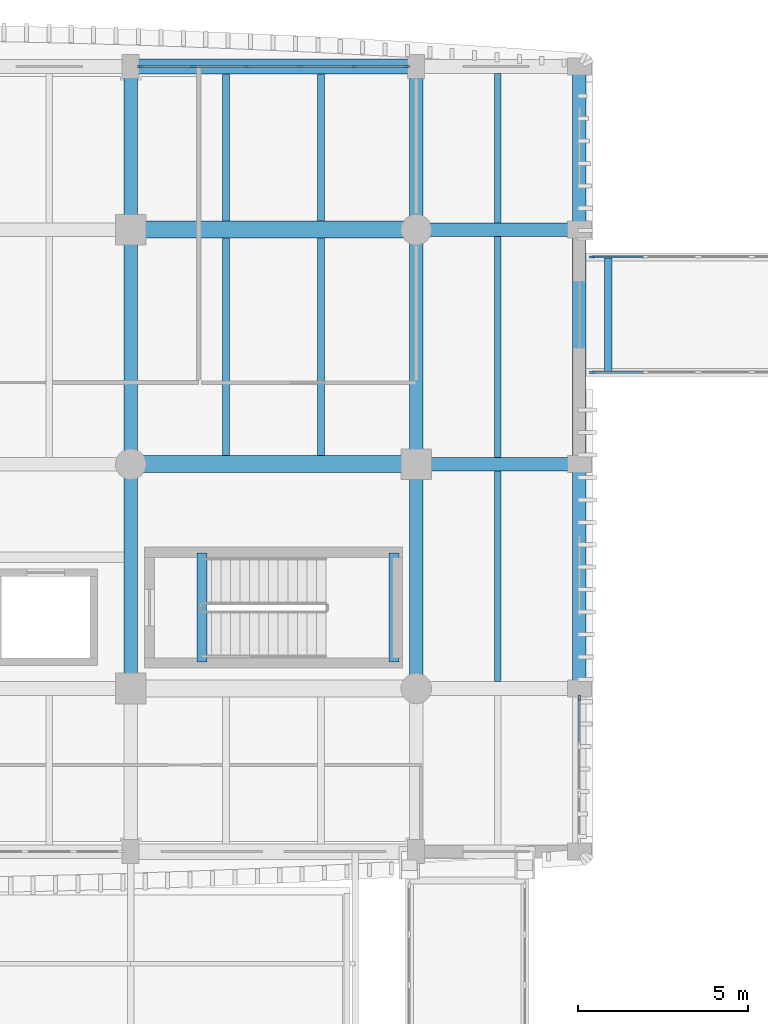
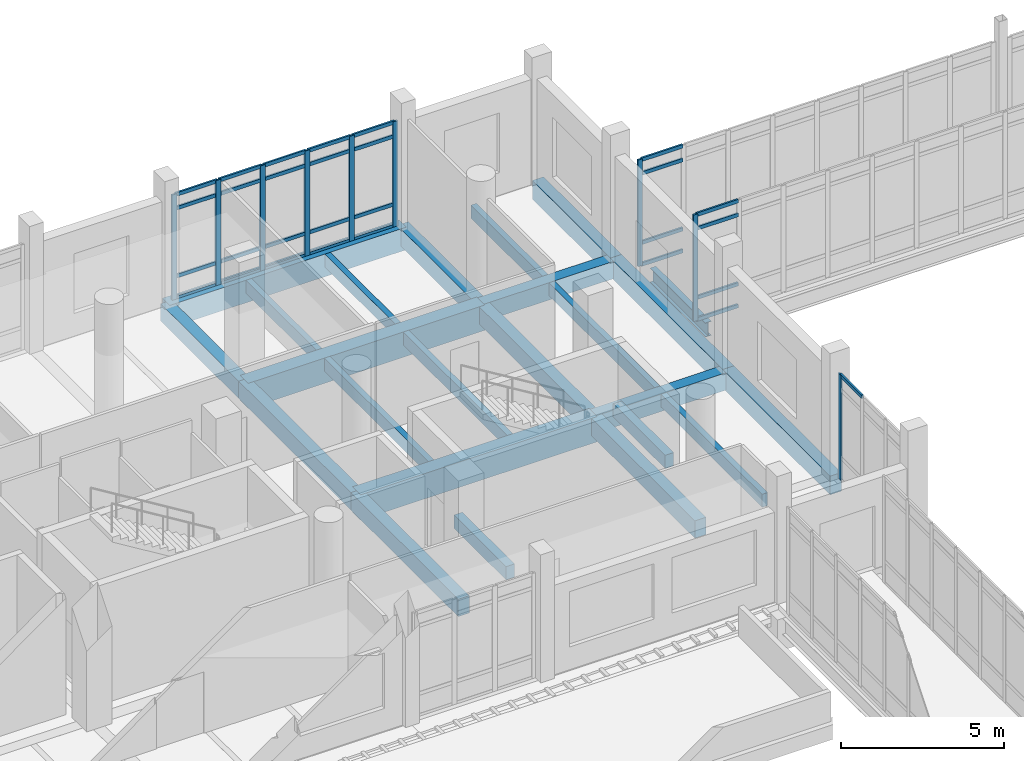
# One storey, part 34 of 125: 38 members, 24 beams, 4 elements without a shape of their own.
"""IFC4 building model written with IfcOpenShell, lengths in metres."""

from ifc_helpers import new_model, si_unit, direction, frame, origin, origin_2d, place, context, subcontext, project, spatial, rectangle, i_section, extrude, material, material_profile, profile_set, type_object, element, aggregate, save


model = new_model("IFC4")

# Units and contexts
model_context = context("Model", 3, precision=1e-05, world=origin(), true_north=direction((0.0, 1.0)))
body_context = subcontext(model_context, "Body", "Model", "MODEL_VIEW")
ifc_project = project(units=[si_unit("LENGTHUNIT", "METRE"), si_unit("AREAUNIT", "SQUARE_METRE"), si_unit("VOLUMEUNIT", "CUBIC_METRE"), si_unit("PLANEANGLEUNIT", "RADIAN"), si_unit("MASSUNIT", "GRAM", prefix="KILO")], contexts=[model_context])

# Site, building, storey
site_placement = place(None, origin())
site = spatial("IfcSite", under=ifc_project, at=site_placement, CompositionType="ELEMENT")
building_placement = place(site_placement, origin())
building = spatial("IfcBuilding", under=site, at=building_placement, Name="Dornvale Research Institute", CompositionType="ELEMENT")
storey_placement = place(building_placement, frame((0.0, 0.0, 5.39990234375)))
storey = spatial("IfcBuildingStorey", under=building, at=storey_placement, Name="L01", CompositionType="ELEMENT", Elevation=5.39990234375)

# Beams
ifc_material_1 = material(Name="Concrete f'c 45 MPa (C35/45)", Category="concrete")
ifc_material_profile_1 = material_profile(ifc_material_1, rectangle(XDim=0.300048828125, YDim=0.5, at=origin_2d()), Name="RC 300x500")
ifc_profile_set_1 = profile_set([ifc_material_profile_1], Name="Concrete f'c 45 MPa (C35/45)")
beam_type_1 = type_object("IfcBeamType", Name="Beam_RC300x500_Trim", PredefinedType="BEAM", material=ifc_profile_set_1)
for number, where, z_axis, x_axis, name in (
    (1, (35.10009765625, 104.580078125, -0.25), (0.0, 1.0, 0.0), (-1.0, 0.0, 0.0), "L01 ST-2 stair landing trimmer beam #25"),
    (2, (40.75, 104.580078125, 1.9501953125), (0.0, 1.0, 0.0), (-1.0, 0.0, 0.0), "L01 ST-2 half-landing support beam #38"),
):
    element("IfcBeam", number, at=place(storey_placement, frame(where, z_axis=z_axis, x_axis=x_axis)), inside=storey, type_object=beam_type_1, Name=name, PredefinedType="BEAM", context=body_context, shape_type="SweptSolid", body=[
        extrude(rectangle(XDim=0.300048828125, YDim=0.5, at=origin_2d()), origin(), (0.0, 0.0, 1.0), 3.199951171875),
    ])
ifc_material_2 = material(Name="Concrete f'c 45 MPa (C35/45)", Category="concrete")
ifc_material_profile_2 = material_profile(ifc_material_2, rectangle(XDim=0.39990234375, YDim=0.64990234375, at=origin_2d()), Name="RC 400x650")
ifc_profile_set_2 = profile_set([ifc_material_profile_2], Name="Concrete f'c 45 MPa (C35/45)")
beam_type_2 = type_object("IfcBeamType", Name="Beam_RC400x650_Floor", PredefinedType="BEAM", material=ifc_profile_set_2)
for number, where, z_axis, x_axis, name in (
    (3, (41.39990234375, 110.39990234375, -0.324951171875), (1.0, 0.0, 0.0), (0.0, 1.0, 0.0), "L01 primary girder #307"),
    (4, (41.39990234375, 117.300048828125, -0.324951171875), (1.0, 0.0, 0.0), (0.0, 1.0, 0.0), "L01 primary girder #314"),
):
    element("IfcBeam", number, at=place(storey_placement, frame(where, z_axis=z_axis, x_axis=x_axis)), inside=storey, type_object=beam_type_2, Name=name, PredefinedType="BEAM", context=body_context, shape_type="SweptSolid", body=[
        extrude(rectangle(XDim=0.39990234375, YDim=0.64990234375, at=origin_2d()), origin(), (0.0, 0.0, 1.0), 4.800048828125),
    ])
beam_1_placement = place(storey_placement, frame((33.0, 103.800048828125, -0.324951171875), z_axis=(0.0, 1.0, 0.0), x_axis=(-1.0, 0.0, 0.0)))
element("IfcBeam", 5, at=beam_1_placement, inside=storey, type_object=beam_type_2, Name="L01 transverse girder #343", PredefinedType="BEAM", context=body_context, shape_type="SweptSolid", body=[
    extrude(rectangle(XDim=0.39990234375, YDim=0.64990234375, at=origin_2d()), origin(), (0.0, 0.0, 1.0), 6.599853515625),
])
beam_2_placement = place(storey_placement, frame((33.0, 110.39990234375, -0.324951171875), z_axis=(0.0, 1.0, 0.0), x_axis=(-1.0, 0.0, 0.0)))
element("IfcBeam", 6, at=beam_2_placement, inside=storey, type_object=beam_type_2, Name="L01 transverse girder #344", PredefinedType="BEAM", context=body_context, shape_type="SweptSolid", body=[
    extrude(rectangle(XDim=0.39990234375, YDim=0.64990234375, at=origin_2d()), origin(), (0.0, 0.0, 1.0), 6.900146484375),
])
beam_3_placement = place(storey_placement, frame((33.0, 117.300048828125, -0.324951171875), z_axis=(0.0, 1.0, 0.0), x_axis=(-1.0, 0.0, 0.0)))
element("IfcBeam", 7, at=beam_3_placement, inside=storey, type_object=beam_type_2, Name="L01 transverse girder #345", PredefinedType="BEAM", context=body_context, shape_type="SweptSolid", body=[
    extrude(rectangle(XDim=0.39990234375, YDim=0.64990234375, at=origin_2d()), origin(), (0.0, 0.0, 1.0), 4.800048828125),
])
beam_4_placement = place(storey_placement, frame((41.39990234375, 103.800048828125, -0.324951171875), z_axis=(0.0, 1.0, 0.0), x_axis=(-1.0, 0.0, 0.0)))
element("IfcBeam", 8, at=beam_4_placement, inside=storey, type_object=beam_type_2, Name="L01 transverse girder #347", PredefinedType="BEAM", context=body_context, shape_type="SweptSolid", body=[
    extrude(rectangle(XDim=0.39990234375, YDim=0.64990234375, at=origin_2d()), origin(), (0.0, 0.0, 1.0), 6.599853515625),
])
beam_5_placement = place(storey_placement, frame((41.39990234375, 110.39990234375, -0.324951171875), z_axis=(0.0, 1.0, 0.0), x_axis=(-1.0, 0.0, 0.0)))
element("IfcBeam", 9, at=beam_5_placement, inside=storey, type_object=beam_type_2, Name="L01 transverse girder #348", PredefinedType="BEAM", context=body_context, shape_type="SweptSolid", body=[
    extrude(rectangle(XDim=0.39990234375, YDim=0.64990234375, at=origin_2d()), origin(), (0.0, 0.0, 1.0), 6.900146484375),
])
beam_6_placement = place(storey_placement, frame((41.39990234375, 117.300048828125, -0.324951171875), z_axis=(0.0, 1.0, 0.0), x_axis=(-1.0, 0.0, 0.0)))
element("IfcBeam", 10, at=beam_6_placement, inside=storey, type_object=beam_type_2, Name="L01 transverse girder #349", PredefinedType="BEAM", context=body_context, shape_type="SweptSolid", body=[
    extrude(rectangle(XDim=0.39990234375, YDim=0.64990234375, at=origin_2d()), origin(), (0.0, 0.0, 1.0), 4.800048828125),
])
ifc_material_3 = material(Name="Concrete f'c 45 MPa (C35/45)", Category="concrete")
ifc_material_profile_3 = material_profile(ifc_material_3, rectangle(XDim=0.5, YDim=0.949951171875, at=origin_2d()), Name="RC 500x950")
ifc_profile_set_3 = profile_set([ifc_material_profile_3], Name="Concrete f'c 45 MPa (C35/45)")
beam_type_3 = type_object("IfcBeamType", Name="Beam_RC500x950_Girder", PredefinedType="BEAM", material=ifc_profile_set_3)
for number, where, z_axis, x_axis, name in (
    (11, (33.0, 110.39990234375, -0.474853515625), (1.0, 0.0, 0.0), (0.0, 1.0, 0.0), "L01 primary girder #306"),
    (12, (33.0, 117.300048828125, -0.474853515625), (1.0, 0.0, 0.0), (0.0, 1.0, 0.0), "L01 primary girder #313"),
):
    element("IfcBeam", number, at=place(storey_placement, frame(where, z_axis=z_axis, x_axis=x_axis)), inside=storey, type_object=beam_type_3, Name=name, PredefinedType="BEAM", context=body_context, shape_type="SweptSolid", body=[
        extrude(rectangle(XDim=0.5, YDim=0.949951171875, at=origin_2d()), origin(), (0.0, 0.0, 1.0), 8.39990234375),
    ])
ifc_material_4 = material(Name="Steel ASTM A992 Grade 50", Category="steel")
ifc_material_profile_4 = material_profile(ifc_material_4, i_section(OverallWidth=0.2099609375, OverallDepth=0.535888671875, WebThickness=0.010986328125, FlangeThickness=0.017333984375, at=origin_2d()), Name="W21X68")
ifc_profile_set_4 = profile_set([ifc_material_profile_4], Name="Steel ASTM A992 Grade 50")
beam_type_4 = type_object("IfcBeamType", Name="Beam_Steel_W21X68", PredefinedType="BEAM", material=ifc_profile_set_4)
beam_7_placement = place(storey_placement, frame((47.050048828125, 113.10009765625, -0.48779296875), z_axis=(0.0, 1.0, 0.0), x_axis=(-1.0, 0.0, 0.0)))
element("IfcBeam", 13, at=beam_7_placement, inside=storey, type_object=beam_type_4, Name="L01 BR-5 west cross beam #2026", PredefinedType="BEAM", context=body_context, shape_type="SweptSolid", body=[
    extrude(i_section(OverallWidth=0.2099609375, OverallDepth=0.535888671875, WebThickness=0.010986328125, FlangeThickness=0.017333984375, at=origin_2d()), origin(), (0.0, 0.0, 1.0), 3.39990234375),
])
ifc_material_5 = material(Name="Concrete f'c 45 MPa (C35/45)", Category="concrete")
ifc_material_profile_5 = material_profile(ifc_material_5, rectangle(XDim=0.199951171875, YDim=0.485107421875, at=origin_2d()), Name="RC 200x485")
ifc_profile_set_5 = profile_set([ifc_material_profile_5], Name="Concrete f'c 45 MPa (C35/45)")
beam_type_5 = type_object("IfcBeamType", Name="Joist_RC200x485_Rib", PredefinedType="JOIST", material=ifc_profile_set_5)
for number, where, z_axis, x_axis, name in (
    (14, (35.800048828125, 110.64990234375, -0.242431640625), (0.0, 1.0, 0.0), (-1.0, 0.0, 0.0), "L01 laboratory waffle joist #168"),
    (15, (38.60009765625, 110.64990234375, -0.242431640625), (0.0, 1.0, 0.0), (-1.0, 0.0, 0.0), "L01 laboratory waffle joist #169"),
):
    element("IfcBeam", number, at=place(storey_placement, frame(where, z_axis=z_axis, x_axis=x_axis)), inside=storey, type_object=beam_type_5, Name=name, PredefinedType="JOIST", context=body_context, shape_type="SweptSolid", body=[
        extrude(rectangle(XDim=0.199951171875, YDim=0.485107421875, at=origin_2d()), origin(), (0.0, 0.0, 1.0), 6.400146484375),
    ])
for number, where, z_axis, x_axis, name in (
    (16, (35.800048828125, 117.550048828125, -0.242431640625), (0.0, 1.0, 0.0), (-1.0, 0.0, 0.0), "L01 laboratory waffle joist #170"),
    (17, (38.60009765625, 117.550048828125, -0.242431640625), (0.0, 1.0, 0.0), (-1.0, 0.0, 0.0), "L01 laboratory waffle joist #171"),
):
    element("IfcBeam", number, at=place(storey_placement, frame(where, z_axis=z_axis, x_axis=x_axis)), inside=storey, type_object=beam_type_5, Name=name, PredefinedType="JOIST", context=body_context, shape_type="SweptSolid", body=[
        extrude(rectangle(XDim=0.199951171875, YDim=0.485107421875, at=origin_2d()), origin(), (0.0, 0.0, 1.0), 4.324951171875),
    ])
beam_8_placement = place(storey_placement, frame((43.800048828125, 104.0, -0.242431640625), z_axis=(0.0, 1.0, 0.0), x_axis=(-1.0, 0.0, 0.0)))
element("IfcBeam", 18, at=beam_8_placement, inside=storey, type_object=beam_type_5, Name="L01 laboratory waffle joist #173", PredefinedType="JOIST", context=body_context, shape_type="SweptSolid", body=[
    extrude(rectangle(XDim=0.199951171875, YDim=0.485107421875, at=origin_2d()), origin(), (0.0, 0.0, 1.0), 6.199951171875),
])
beam_9_placement = place(storey_placement, frame((43.800048828125, 110.60009765625, -0.242431640625), z_axis=(0.0, 1.0, 0.0), x_axis=(-1.0, 0.0, 0.0)))
element("IfcBeam", 19, at=beam_9_placement, inside=storey, type_object=beam_type_5, Name="L01 laboratory waffle joist #174", PredefinedType="JOIST", context=body_context, shape_type="SweptSolid", body=[
    extrude(rectangle(XDim=0.199951171875, YDim=0.485107421875, at=origin_2d()), origin(), (0.0, 0.0, 1.0), 6.5),
])
beam_10_placement = place(storey_placement, frame((43.800048828125, 117.5, -0.242431640625), z_axis=(0.0, 1.0, 0.0), x_axis=(-1.0, 0.0, 0.0)))
element("IfcBeam", 20, at=beam_10_placement, inside=storey, type_object=beam_type_5, Name="L01 laboratory waffle joist #175", PredefinedType="JOIST", context=body_context, shape_type="SweptSolid", body=[
    extrude(rectangle(XDim=0.199951171875, YDim=0.485107421875, at=origin_2d()), origin(), (0.0, 0.0, 1.0), 4.39990234375),
])

# Curtain wall, member
ifc_material_6 = material(Name="Low-E Argon Double Insulating Glazing Unit", Category="glass")
curtain_wall_type_1 = type_object("IfcCurtainWallType", Name="UnitisedCurtainWall_V2_12600x4000", PredefinedType="USERDEFINED", material=ifc_material_6)
curtain_wall_1_placement = place(storey_placement, origin())
curtain_wall_1 = element("IfcCurtainWall", 21, at=curtain_wall_1_placement, inside=storey, type_object=curtain_wall_type_1, Name="L01 V2 unitised curtain wall CW-41 #211", ObjectType="UNITISED CURTAIN WALL", PredefinedType="USERDEFINED")
ifc_material_7 = material(Name="Anodized Aluminum AA 6063-T6 Thermally Broken Frame", Category="aluminium")
ifc_material_profile_6 = material_profile(ifc_material_7, rectangle(XDim=0.06494140625, YDim=0.1650390625, at=origin_2d()), Name="ALU MULLION 65x165")
ifc_profile_set_6 = profile_set([ifc_material_profile_6], Name="Anodized Aluminum AA 6063-T6 Thermally Broken Frame")
member_type_1 = type_object("IfcMemberType", Name="Mullion_Atrium_65x165", PredefinedType="MULLION", material=ifc_profile_set_6)
member_1_placement = place(storey_placement, frame((46.58251953125, 116.5, 0.0), z_axis=(0.0, 0.0, 1.0), x_axis=(0.0, 1.0, 0.0)))
member_1 = element("IfcMember", 22, at=member_1_placement, type_object=member_type_1, Name="CW-41 mullion 1", PredefinedType="MULLION", context=body_context, shape_type="SweptSolid", body=[
    extrude(rectangle(XDim=0.06494140625, YDim=0.1650390625, at=origin_2d()), origin(), (0.0, 0.0, 1.0), 4.0),
])

curtain_wall_2_placement = place(storey_placement, origin())
curtain_wall_2 = element("IfcCurtainWall", 23, at=curtain_wall_2_placement, inside=storey, type_object=curtain_wall_type_1, Name="L01 V2 unitised curtain wall CW-41 #212", ObjectType="UNITISED CURTAIN WALL", PredefinedType="USERDEFINED")
member_2_placement = place(storey_placement, frame((46.58251953125, 113.10009765625, 0.0), z_axis=(0.0, 0.0, 1.0), x_axis=(0.0, -1.0, 0.0)))
member_2 = element("IfcMember", 24, at=member_2_placement, type_object=member_type_1, Name="CW-41 mullion 9", PredefinedType="MULLION", context=body_context, shape_type="SweptSolid", body=[
    extrude(rectangle(XDim=0.06494140625, YDim=0.1650390625, at=origin_2d()), origin(), (0.0, 0.0, 1.0), 4.0),
])

# Curtain wall, members
ifc_material_8 = material(Name="Low-E Argon Double Insulating Glazing Unit", Category="glass")
curtain_wall_type_2 = type_object("IfcCurtainWallType", Name="UnitisedCurtainWall_V5_7900x3950", PredefinedType="USERDEFINED", material=ifc_material_8)
curtain_wall_3_placement = place(storey_placement, origin())
curtain_wall_3 = element("IfcCurtainWall", 25, at=curtain_wall_3_placement, inside=storey, type_object=curtain_wall_type_2, Name="L01 V5 unitised curtain wall CW-24 #135", ObjectType="UNITISED CURTAIN WALL", PredefinedType="USERDEFINED")
ifc_material_9 = material(Name="Anodized Aluminum AA 6063-T6 Thermally Broken Frame", Category="aluminium")
ifc_material_profile_7 = material_profile(ifc_material_9, rectangle(XDim=0.06494140625, YDim=0.179931640625, at=origin_2d()), Name="ALU MULLION 65x180")
ifc_profile_set_7 = profile_set([ifc_material_profile_7], Name="Anodized Aluminum AA 6063-T6 Thermally Broken Frame")
member_type_2 = type_object("IfcMemberType", Name="Mullion_CW_65x180", PredefinedType="MULLION", material=ifc_profile_set_7)
member_3_placement = place(storey_placement, frame((33.282470703125, 122.10009765625, 0.0), z_axis=(0.0, 0.0, 1.0), x_axis=(0.0, 1.0, 0.0)))
member_3 = element("IfcMember", 26, at=member_3_placement, type_object=member_type_2, Name="CW-24 mullion 1", PredefinedType="MULLION", context=body_context, shape_type="SweptSolid", body=[
    extrude(rectangle(XDim=0.06494140625, YDim=0.179931640625, at=origin_2d()), origin(), (0.0, 0.0, 1.0), 3.9501953125),
])
member_4_placement = place(storey_placement, frame((34.830078125, 122.10009765625, 0.0), z_axis=(0.0, 0.0, 1.0), x_axis=(0.0, 1.0, 0.0)))
member_4 = element("IfcMember", 27, at=member_4_placement, type_object=member_type_2, Name="CW-24 mullion 2", PredefinedType="MULLION", context=body_context, shape_type="SweptSolid", body=[
    extrude(rectangle(XDim=0.06494140625, YDim=0.179931640625, at=origin_2d()), origin(), (0.0, 0.0, 1.0), 3.9501953125),
])
member_5_placement = place(storey_placement, frame((36.409912109375, 122.10009765625, 0.0), z_axis=(0.0, 0.0, 1.0), x_axis=(0.0, 1.0, 0.0)))
member_5 = element("IfcMember", 28, at=member_5_placement, type_object=member_type_2, Name="CW-24 mullion 3", PredefinedType="MULLION", context=body_context, shape_type="SweptSolid", body=[
    extrude(rectangle(XDim=0.06494140625, YDim=0.179931640625, at=origin_2d()), origin(), (0.0, 0.0, 1.0), 3.9501953125),
])
member_6_placement = place(storey_placement, frame((37.989990234375, 122.10009765625, 0.0), z_axis=(0.0, 0.0, 1.0), x_axis=(0.0, 1.0, 0.0)))
member_6 = element("IfcMember", 29, at=member_6_placement, type_object=member_type_2, Name="CW-24 mullion 4", PredefinedType="MULLION", context=body_context, shape_type="SweptSolid", body=[
    extrude(rectangle(XDim=0.06494140625, YDim=0.179931640625, at=origin_2d()), origin(), (0.0, 0.0, 1.0), 3.9501953125),
])
member_7_placement = place(storey_placement, frame((39.570068359375, 122.10009765625, 0.0), z_axis=(0.0, 0.0, 1.0), x_axis=(0.0, 1.0, 0.0)))
member_7 = element("IfcMember", 30, at=member_7_placement, type_object=member_type_2, Name="CW-24 mullion 5", PredefinedType="MULLION", context=body_context, shape_type="SweptSolid", body=[
    extrude(rectangle(XDim=0.06494140625, YDim=0.179931640625, at=origin_2d()), origin(), (0.0, 0.0, 1.0), 3.9501953125),
])
member_8_placement = place(storey_placement, frame((41.117431640625, 122.10009765625, 0.0), z_axis=(0.0, 0.0, 1.0), x_axis=(0.0, 1.0, 0.0)))
member_8 = element("IfcMember", 31, at=member_8_placement, type_object=member_type_2, Name="CW-24 mullion 6", PredefinedType="MULLION", context=body_context, shape_type="SweptSolid", body=[
    extrude(rectangle(XDim=0.06494140625, YDim=0.179931640625, at=origin_2d()), origin(), (0.0, 0.0, 1.0), 3.9501953125),
])

# Curtain wall, member
ifc_material_10 = material(Name="Low-E Argon Double Insulating Glazing Unit", Category="glass")
curtain_wall_type_3 = type_object("IfcCurtainWallType", Name="UnitisedCurtainWall_V5_4300x3950", PredefinedType="USERDEFINED", material=ifc_material_10)
curtain_wall_4_placement = place(storey_placement, origin())
curtain_wall_4 = element("IfcCurtainWall", 32, at=curtain_wall_4_placement, inside=storey, type_object=curtain_wall_type_3, Name="L01 V5 unitised curtain wall CW-25 #136", ObjectType="UNITISED CURTAIN WALL", PredefinedType="USERDEFINED")
member_9_placement = place(storey_placement, frame((46.199951171875, 103.517578125, 0.0), z_axis=(0.0, 0.0, 1.0), x_axis=(1.0, 0.0, 0.0)))
member_9 = element("IfcMember", 33, at=member_9_placement, type_object=member_type_2, Name="CW-25 mullion 1", PredefinedType="MULLION", context=body_context, shape_type="SweptSolid", body=[
    extrude(rectangle(XDim=0.06494140625, YDim=0.179931640625, at=origin_2d()), origin(), (0.0, 0.0, 1.0), 3.9501953125),
])

# Beams
ifc_material_11 = material(Name="Concrete f'c 45 MPa (C35/45)", Category="concrete")
ifc_material_profile_8 = material_profile(ifc_material_11, rectangle(XDim=0.39990234375, YDim=0.699951171875, at=origin_2d()), Name="RC 400x700")
ifc_profile_set_8 = profile_set([ifc_material_profile_8], Name="Concrete f'c 45 MPa (C35/45)")
beam_type_6 = type_object("IfcBeamType", Name="Spandrel_RC400x700_Ext", PredefinedType="SPANDREL", material=ifc_profile_set_8)
beam_11_placement = place(storey_placement, frame((46.199951171875, 103.800048828125, -0.349853515625), z_axis=(0.0, 1.0, 0.0), x_axis=(-1.0, 0.0, 0.0)))
element("IfcBeam", 34, at=beam_11_placement, inside=storey, type_object=beam_type_6, Name="L01 perimeter spandrel #351", PredefinedType="SPANDREL", context=body_context, shape_type="SweptSolid", body=[
    extrude(rectangle(XDim=0.39990234375, YDim=0.699951171875, at=origin_2d()), origin(), (0.0, 0.0, 1.0), 6.599853515625),
])
beam_12_placement = place(storey_placement, frame((46.199951171875, 110.39990234375, -0.349853515625), z_axis=(0.0, 1.0, 0.0), x_axis=(-1.0, 0.0, 0.0)))
element("IfcBeam", 35, at=beam_12_placement, inside=storey, type_object=beam_type_6, Name="L01 perimeter spandrel #352", PredefinedType="SPANDREL", context=body_context, shape_type="SweptSolid", body=[
    extrude(rectangle(XDim=0.39990234375, YDim=0.699951171875, at=origin_2d()), origin(), (0.0, 0.0, 1.0), 6.900146484375),
])
beam_13_placement = place(storey_placement, frame((46.199951171875, 117.300048828125, -0.349853515625), z_axis=(0.0, 1.0, 0.0), x_axis=(-1.0, 0.0, 0.0)))
element("IfcBeam", 36, at=beam_13_placement, inside=storey, type_object=beam_type_6, Name="L01 perimeter spandrel #353", PredefinedType="SPANDREL", context=body_context, shape_type="SweptSolid", body=[
    extrude(rectangle(XDim=0.39990234375, YDim=0.699951171875, at=origin_2d()), origin(), (0.0, 0.0, 1.0), 4.800048828125),
])
ifc_material_12 = material(Name="Concrete f'c 45 MPa (C35/45)", Category="concrete")
ifc_material_profile_9 = material_profile(ifc_material_12, rectangle(XDim=0.449951171875, YDim=0.85009765625, at=origin_2d()), Name="RC 450x850")
ifc_profile_set_9 = profile_set([ifc_material_profile_9], Name="Concrete f'c 45 MPa (C35/45)")
beam_type_7 = type_object("IfcBeamType", Name="Spandrel_RC450x850_Ext", PredefinedType="SPANDREL", material=ifc_profile_set_9)
beam_14_placement = place(storey_placement, frame((33.0, 122.10009765625, -0.4248046875), z_axis=(1.0, 0.0, 0.0), x_axis=(0.0, 1.0, 0.0)))
element("IfcBeam", 37, at=beam_14_placement, inside=storey, type_object=beam_type_7, Name="L01 perimeter spandrel #320", PredefinedType="SPANDREL", context=body_context, shape_type="SweptSolid", body=[
    extrude(rectangle(XDim=0.449951171875, YDim=0.85009765625, at=origin_2d()), origin(), (0.0, 0.0, 1.0), 8.39990234375),
])

# Member
ifc_material_13 = material(Name="Anodized Aluminum AA 6063-T6 Thermally Broken Frame", Category="aluminium")
ifc_material_profile_10 = material_profile(ifc_material_13, rectangle(XDim=0.06494140625, YDim=0.135009765625, at=origin_2d()), Name="ALU TRANSOM 65x135")
ifc_profile_set_10 = profile_set([ifc_material_profile_10], Name="Anodized Aluminum AA 6063-T6 Thermally Broken Frame")
member_type_3 = type_object("IfcMemberType", Name="Transom_CW_65x135", PredefinedType="USERDEFINED", material=ifc_profile_set_10)
member_10_placement = place(storey_placement, frame((33.31494140625, 122.10009765625, 0.03271484375), z_axis=(1.0, 0.0, 0.0), x_axis=(0.0, 1.0, 0.0)))
member_10 = element("IfcMember", 38, at=member_10_placement, type_object=member_type_3, Name="CW-24 transom 1.1", ObjectType="TRANSOM", PredefinedType="USERDEFINED", context=body_context, shape_type="SweptSolid", body=[
    extrude(rectangle(XDim=0.06494140625, YDim=0.135009765625, at=origin_2d()), origin(), (0.0, 0.0, 1.0), 1.482666015625),
])

member_11_placement = place(storey_placement, frame((33.31494140625, 122.10009765625, 0.85009765625), z_axis=(1.0, 0.0, 0.0), x_axis=(0.0, 1.0, 0.0)))
member_11 = element("IfcMember", 39, at=member_11_placement, type_object=member_type_3, Name="CW-24 transom 1.2", ObjectType="TRANSOM", PredefinedType="USERDEFINED", context=body_context, shape_type="SweptSolid", body=[
    extrude(rectangle(XDim=0.06494140625, YDim=0.135009765625, at=origin_2d()), origin(), (0.0, 0.0, 1.0), 1.482666015625),
])

member_12_placement = place(storey_placement, frame((33.31494140625, 122.10009765625, 3.400146484375), z_axis=(1.0, 0.0, 0.0), x_axis=(0.0, 1.0, 0.0)))
member_12 = element("IfcMember", 40, at=member_12_placement, type_object=member_type_3, Name="CW-24 transom 1.3", ObjectType="TRANSOM", PredefinedType="USERDEFINED", context=body_context, shape_type="SweptSolid", body=[
    extrude(rectangle(XDim=0.06494140625, YDim=0.135009765625, at=origin_2d()), origin(), (0.0, 0.0, 1.0), 1.482666015625),
])

member_13_placement = place(storey_placement, frame((33.31494140625, 122.10009765625, 3.91748046875), z_axis=(1.0, 0.0, 0.0), x_axis=(0.0, 1.0, 0.0)))
member_13 = element("IfcMember", 41, at=member_13_placement, type_object=member_type_3, Name="CW-24 transom 1.4", ObjectType="TRANSOM", PredefinedType="USERDEFINED", context=body_context, shape_type="SweptSolid", body=[
    extrude(rectangle(XDim=0.06494140625, YDim=0.135009765625, at=origin_2d()), origin(), (0.0, 0.0, 1.0), 1.482666015625),
])

member_14_placement = place(storey_placement, frame((34.862548828125, 122.10009765625, 0.03271484375), z_axis=(1.0, 0.0, 0.0), x_axis=(0.0, 1.0, 0.0)))
member_14 = element("IfcMember", 42, at=member_14_placement, type_object=member_type_3, Name="CW-24 transom 2.1", ObjectType="TRANSOM", PredefinedType="USERDEFINED", context=body_context, shape_type="SweptSolid", body=[
    extrude(rectangle(XDim=0.06494140625, YDim=0.135009765625, at=origin_2d()), origin(), (0.0, 0.0, 1.0), 1.514892578125),
])

member_15_placement = place(storey_placement, frame((34.862548828125, 122.10009765625, 0.85009765625), z_axis=(1.0, 0.0, 0.0), x_axis=(0.0, 1.0, 0.0)))
member_15 = element("IfcMember", 43, at=member_15_placement, type_object=member_type_3, Name="CW-24 transom 2.2", ObjectType="TRANSOM", PredefinedType="USERDEFINED", context=body_context, shape_type="SweptSolid", body=[
    extrude(rectangle(XDim=0.06494140625, YDim=0.135009765625, at=origin_2d()), origin(), (0.0, 0.0, 1.0), 1.514892578125),
])

member_16_placement = place(storey_placement, frame((34.862548828125, 122.10009765625, 3.400146484375), z_axis=(1.0, 0.0, 0.0), x_axis=(0.0, 1.0, 0.0)))
member_16 = element("IfcMember", 44, at=member_16_placement, type_object=member_type_3, Name="CW-24 transom 2.3", ObjectType="TRANSOM", PredefinedType="USERDEFINED", context=body_context, shape_type="SweptSolid", body=[
    extrude(rectangle(XDim=0.06494140625, YDim=0.135009765625, at=origin_2d()), origin(), (0.0, 0.0, 1.0), 1.514892578125),
])

member_17_placement = place(storey_placement, frame((34.862548828125, 122.10009765625, 3.91748046875), z_axis=(1.0, 0.0, 0.0), x_axis=(0.0, 1.0, 0.0)))
member_17 = element("IfcMember", 45, at=member_17_placement, type_object=member_type_3, Name="CW-24 transom 2.4", ObjectType="TRANSOM", PredefinedType="USERDEFINED", context=body_context, shape_type="SweptSolid", body=[
    extrude(rectangle(XDim=0.06494140625, YDim=0.135009765625, at=origin_2d()), origin(), (0.0, 0.0, 1.0), 1.514892578125),
])

member_18_placement = place(storey_placement, frame((36.4423828125, 122.10009765625, 0.03271484375), z_axis=(1.0, 0.0, 0.0), x_axis=(0.0, 1.0, 0.0)))
member_18 = element("IfcMember", 46, at=member_18_placement, type_object=member_type_3, Name="CW-24 transom 3.1", ObjectType="TRANSOM", PredefinedType="USERDEFINED", context=body_context, shape_type="SweptSolid", body=[
    extrude(rectangle(XDim=0.06494140625, YDim=0.135009765625, at=origin_2d()), origin(), (0.0, 0.0, 1.0), 1.51513671875),
])

member_19_placement = place(storey_placement, frame((36.4423828125, 122.10009765625, 0.85009765625), z_axis=(1.0, 0.0, 0.0), x_axis=(0.0, 1.0, 0.0)))
member_19 = element("IfcMember", 47, at=member_19_placement, type_object=member_type_3, Name="CW-24 transom 3.2", ObjectType="TRANSOM", PredefinedType="USERDEFINED", context=body_context, shape_type="SweptSolid", body=[
    extrude(rectangle(XDim=0.06494140625, YDim=0.135009765625, at=origin_2d()), origin(), (0.0, 0.0, 1.0), 1.51513671875),
])

member_20_placement = place(storey_placement, frame((36.4423828125, 122.10009765625, 3.400146484375), z_axis=(1.0, 0.0, 0.0), x_axis=(0.0, 1.0, 0.0)))
member_20 = element("IfcMember", 48, at=member_20_placement, type_object=member_type_3, Name="CW-24 transom 3.3", ObjectType="TRANSOM", PredefinedType="USERDEFINED", context=body_context, shape_type="SweptSolid", body=[
    extrude(rectangle(XDim=0.06494140625, YDim=0.135009765625, at=origin_2d()), origin(), (0.0, 0.0, 1.0), 1.51513671875),
])

member_21_placement = place(storey_placement, frame((36.4423828125, 122.10009765625, 3.91748046875), z_axis=(1.0, 0.0, 0.0), x_axis=(0.0, 1.0, 0.0)))
member_21 = element("IfcMember", 49, at=member_21_placement, type_object=member_type_3, Name="CW-24 transom 3.4", ObjectType="TRANSOM", PredefinedType="USERDEFINED", context=body_context, shape_type="SweptSolid", body=[
    extrude(rectangle(XDim=0.06494140625, YDim=0.135009765625, at=origin_2d()), origin(), (0.0, 0.0, 1.0), 1.51513671875),
])

member_22_placement = place(storey_placement, frame((38.0224609375, 122.10009765625, 0.03271484375), z_axis=(1.0, 0.0, 0.0), x_axis=(0.0, 1.0, 0.0)))
member_22 = element("IfcMember", 50, at=member_22_placement, type_object=member_type_3, Name="CW-24 transom 4.1", ObjectType="TRANSOM", PredefinedType="USERDEFINED", context=body_context, shape_type="SweptSolid", body=[
    extrude(rectangle(XDim=0.06494140625, YDim=0.135009765625, at=origin_2d()), origin(), (0.0, 0.0, 1.0), 1.51513671875),
])

member_23_placement = place(storey_placement, frame((38.0224609375, 122.10009765625, 0.85009765625), z_axis=(1.0, 0.0, 0.0), x_axis=(0.0, 1.0, 0.0)))
member_23 = element("IfcMember", 51, at=member_23_placement, type_object=member_type_3, Name="CW-24 transom 4.2", ObjectType="TRANSOM", PredefinedType="USERDEFINED", context=body_context, shape_type="SweptSolid", body=[
    extrude(rectangle(XDim=0.06494140625, YDim=0.135009765625, at=origin_2d()), origin(), (0.0, 0.0, 1.0), 1.51513671875),
])

member_24_placement = place(storey_placement, frame((38.0224609375, 122.10009765625, 3.400146484375), z_axis=(1.0, 0.0, 0.0), x_axis=(0.0, 1.0, 0.0)))
member_24 = element("IfcMember", 52, at=member_24_placement, type_object=member_type_3, Name="CW-24 transom 4.3", ObjectType="TRANSOM", PredefinedType="USERDEFINED", context=body_context, shape_type="SweptSolid", body=[
    extrude(rectangle(XDim=0.06494140625, YDim=0.135009765625, at=origin_2d()), origin(), (0.0, 0.0, 1.0), 1.51513671875),
])

member_25_placement = place(storey_placement, frame((38.0224609375, 122.10009765625, 3.91748046875), z_axis=(1.0, 0.0, 0.0), x_axis=(0.0, 1.0, 0.0)))
member_25 = element("IfcMember", 53, at=member_25_placement, type_object=member_type_3, Name="CW-24 transom 4.4", ObjectType="TRANSOM", PredefinedType="USERDEFINED", context=body_context, shape_type="SweptSolid", body=[
    extrude(rectangle(XDim=0.06494140625, YDim=0.135009765625, at=origin_2d()), origin(), (0.0, 0.0, 1.0), 1.51513671875),
])

member_26_placement = place(storey_placement, frame((39.6025390625, 122.10009765625, 0.03271484375), z_axis=(1.0, 0.0, 0.0), x_axis=(0.0, 1.0, 0.0)))
member_26 = element("IfcMember", 54, at=member_26_placement, type_object=member_type_3, Name="CW-24 transom 5.1", ObjectType="TRANSOM", PredefinedType="USERDEFINED", context=body_context, shape_type="SweptSolid", body=[
    extrude(rectangle(XDim=0.06494140625, YDim=0.135009765625, at=origin_2d()), origin(), (0.0, 0.0, 1.0), 1.482421875),
])

member_27_placement = place(storey_placement, frame((39.6025390625, 122.10009765625, 0.85009765625), z_axis=(1.0, 0.0, 0.0), x_axis=(0.0, 1.0, 0.0)))
member_27 = element("IfcMember", 55, at=member_27_placement, type_object=member_type_3, Name="CW-24 transom 5.2", ObjectType="TRANSOM", PredefinedType="USERDEFINED", context=body_context, shape_type="SweptSolid", body=[
    extrude(rectangle(XDim=0.06494140625, YDim=0.135009765625, at=origin_2d()), origin(), (0.0, 0.0, 1.0), 1.482421875),
])

member_28_placement = place(storey_placement, frame((39.6025390625, 122.10009765625, 3.400146484375), z_axis=(1.0, 0.0, 0.0), x_axis=(0.0, 1.0, 0.0)))
member_28 = element("IfcMember", 56, at=member_28_placement, type_object=member_type_3, Name="CW-24 transom 5.3", ObjectType="TRANSOM", PredefinedType="USERDEFINED", context=body_context, shape_type="SweptSolid", body=[
    extrude(rectangle(XDim=0.06494140625, YDim=0.135009765625, at=origin_2d()), origin(), (0.0, 0.0, 1.0), 1.482421875),
])

member_29_placement = place(storey_placement, frame((39.6025390625, 122.10009765625, 3.91748046875), z_axis=(1.0, 0.0, 0.0), x_axis=(0.0, 1.0, 0.0)))
member_29 = element("IfcMember", 57, at=member_29_placement, type_object=member_type_3, Name="CW-24 transom 5.4", ObjectType="TRANSOM", PredefinedType="USERDEFINED", context=body_context, shape_type="SweptSolid", body=[
    extrude(rectangle(XDim=0.06494140625, YDim=0.135009765625, at=origin_2d()), origin(), (0.0, 0.0, 1.0), 1.482421875),
])

aggregate(curtain_wall_3, [member_3, member_4, member_5, member_6, member_7, member_8, member_10, member_11, member_12, member_13, member_14, member_15, member_16, member_17, member_18, member_19, member_20, member_21, member_22, member_23, member_24, member_25, member_26, member_27, member_28, member_29])

member_30_placement = place(storey_placement, frame((46.199951171875, 103.485107421875, 3.91748046875), z_axis=(0.0, -1.0, 0.0), x_axis=(1.0, 0.0, 0.0)))
member_30 = element("IfcMember", 58, at=member_30_placement, type_object=member_type_3, Name="CW-25 transom 1.4", ObjectType="TRANSOM", PredefinedType="USERDEFINED", context=body_context, shape_type="SweptSolid", body=[
    extrude(rectangle(XDim=0.06494140625, YDim=0.135009765625, at=origin_2d()), origin(), (0.0, 0.0, 1.0), 1.3359375),
])

aggregate(curtain_wall_4, [member_9, member_30])

member_31_placement = place(storey_placement, frame((46.614990234375, 116.5, 0.03271484375), z_axis=(1.0, 0.0, 0.0), x_axis=(0.0, 1.0, 0.0)))
member_31 = element("IfcMember", 59, at=member_31_placement, type_object=member_type_3, Name="CW-41 transom 1.1", ObjectType="TRANSOM", PredefinedType="USERDEFINED", context=body_context, shape_type="SweptSolid", body=[
    extrude(rectangle(XDim=0.06494140625, YDim=0.135009765625, at=origin_2d()), origin(), (0.0, 0.0, 1.0), 1.4775390625),
])

member_32_placement = place(storey_placement, frame((46.614990234375, 116.5, 0.85009765625), z_axis=(1.0, 0.0, 0.0), x_axis=(0.0, 1.0, 0.0)))
member_32 = element("IfcMember", 60, at=member_32_placement, type_object=member_type_3, Name="CW-41 transom 1.2", ObjectType="TRANSOM", PredefinedType="USERDEFINED", context=body_context, shape_type="SweptSolid", body=[
    extrude(rectangle(XDim=0.06494140625, YDim=0.135009765625, at=origin_2d()), origin(), (0.0, 0.0, 1.0), 1.4775390625),
])

member_33_placement = place(storey_placement, frame((46.614990234375, 116.5, 3.4501953125), z_axis=(1.0, 0.0, 0.0), x_axis=(0.0, 1.0, 0.0)))
member_33 = element("IfcMember", 61, at=member_33_placement, type_object=member_type_3, Name="CW-41 transom 1.3", ObjectType="TRANSOM", PredefinedType="USERDEFINED", context=body_context, shape_type="SweptSolid", body=[
    extrude(rectangle(XDim=0.06494140625, YDim=0.135009765625, at=origin_2d()), origin(), (0.0, 0.0, 1.0), 1.4775390625),
])

member_34_placement = place(storey_placement, frame((46.614990234375, 116.5, 3.967529296875), z_axis=(1.0, 0.0, 0.0), x_axis=(0.0, 1.0, 0.0)))
member_34 = element("IfcMember", 62, at=member_34_placement, type_object=member_type_3, Name="CW-41 transom 1.4", ObjectType="TRANSOM", PredefinedType="USERDEFINED", context=body_context, shape_type="SweptSolid", body=[
    extrude(rectangle(XDim=0.06494140625, YDim=0.135009765625, at=origin_2d()), origin(), (0.0, 0.0, 1.0), 1.4775390625),
])

aggregate(curtain_wall_1, [member_1, member_31, member_32, member_33, member_34])

member_35_placement = place(storey_placement, frame((48.092529296875, 113.10009765625, 0.03271484375), z_axis=(-1.0, 0.0, 0.0), x_axis=(0.0, -1.0, 0.0)))
member_35 = element("IfcMember", 63, at=member_35_placement, type_object=member_type_3, Name="CW-41 transom 8.1", ObjectType="TRANSOM", PredefinedType="USERDEFINED", context=body_context, shape_type="SweptSolid", body=[
    extrude(rectangle(XDim=0.06494140625, YDim=0.135009765625, at=origin_2d()), origin(), (0.0, 0.0, 1.0), 1.4775390625),
])

member_36_placement = place(storey_placement, frame((48.092529296875, 113.10009765625, 0.85009765625), z_axis=(-1.0, 0.0, 0.0), x_axis=(0.0, -1.0, 0.0)))
member_36 = element("IfcMember", 64, at=member_36_placement, type_object=member_type_3, Name="CW-41 transom 8.2", ObjectType="TRANSOM", PredefinedType="USERDEFINED", context=body_context, shape_type="SweptSolid", body=[
    extrude(rectangle(XDim=0.06494140625, YDim=0.135009765625, at=origin_2d()), origin(), (0.0, 0.0, 1.0), 1.4775390625),
])

member_37_placement = place(storey_placement, frame((48.092529296875, 113.10009765625, 3.4501953125), z_axis=(-1.0, 0.0, 0.0), x_axis=(0.0, -1.0, 0.0)))
member_37 = element("IfcMember", 65, at=member_37_placement, type_object=member_type_3, Name="CW-41 transom 8.3", ObjectType="TRANSOM", PredefinedType="USERDEFINED", context=body_context, shape_type="SweptSolid", body=[
    extrude(rectangle(XDim=0.06494140625, YDim=0.135009765625, at=origin_2d()), origin(), (0.0, 0.0, 1.0), 1.4775390625),
])

member_38_placement = place(storey_placement, frame((48.092529296875, 113.10009765625, 3.967529296875), z_axis=(-1.0, 0.0, 0.0), x_axis=(0.0, -1.0, 0.0)))
member_38 = element("IfcMember", 66, at=member_38_placement, type_object=member_type_3, Name="CW-41 transom 8.4", ObjectType="TRANSOM", PredefinedType="USERDEFINED", context=body_context, shape_type="SweptSolid", body=[
    extrude(rectangle(XDim=0.06494140625, YDim=0.135009765625, at=origin_2d()), origin(), (0.0, 0.0, 1.0), 1.4775390625),
])

aggregate(curtain_wall_2, [member_2, member_35, member_36, member_37, member_38])

save(model, "model.ifc")
